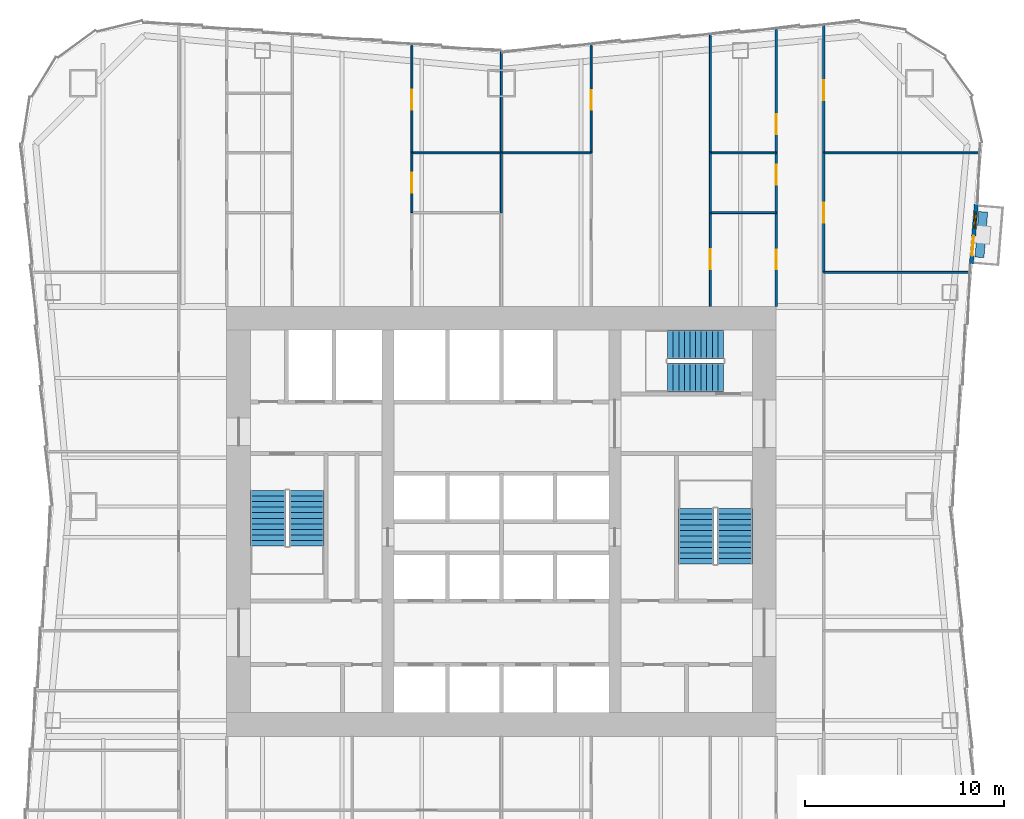
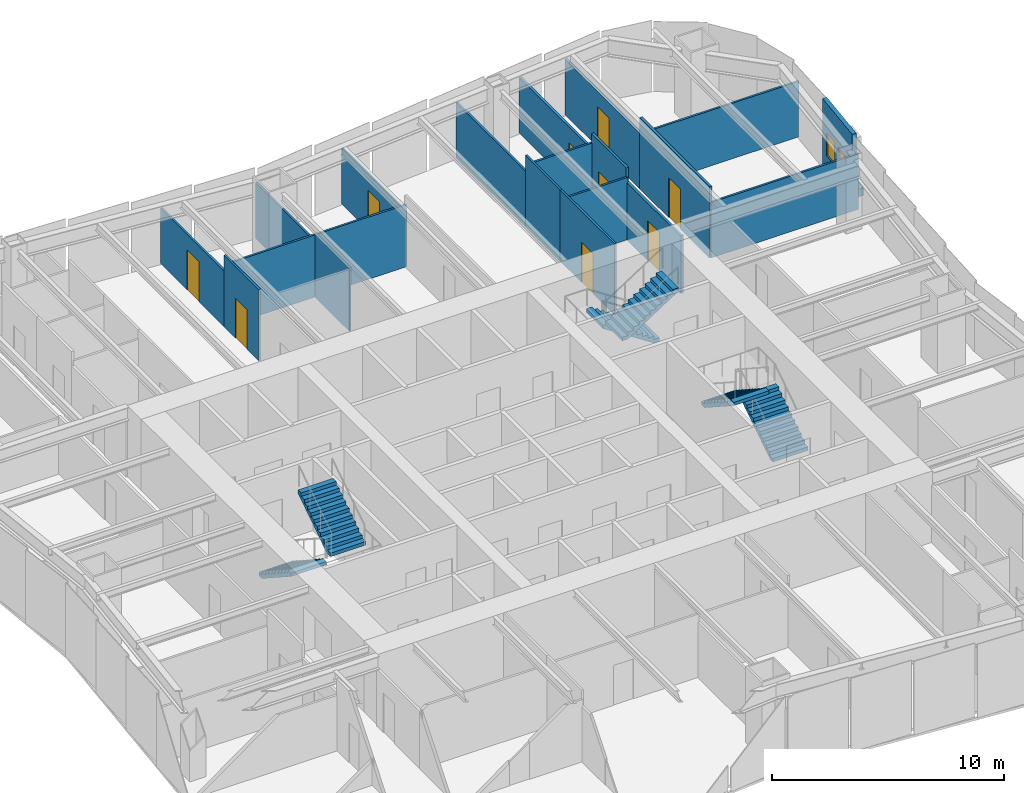
# One storey, part 7 of 9: 21 walls, 10 doors, 6 stair flights, 1 window, 11 openings, 3 elements without a shape of their own.
"""IFC4 building model written with IfcOpenShell, lengths in metres."""

from ifc_helpers import new_model, si_unit, direction, frame, frame_2d, origin, place, context, subcontext, project, spatial, polyline, rectangle, outline, extrude, material, layer, layer_set, type_object, element, fill, aggregate, save


model = new_model("IFC4")

# Units and contexts
model_context = context("Model", 3, precision=1e-05, world=origin(), true_north=direction((0.0, 1.0)))
body_context = subcontext(model_context, "Body", "Model", "MODEL_VIEW")
ifc_project = project(units=[si_unit("LENGTHUNIT", "METRE"), si_unit("AREAUNIT", "SQUARE_METRE"), si_unit("VOLUMEUNIT", "CUBIC_METRE"), si_unit("PLANEANGLEUNIT", "RADIAN"), si_unit("MASSUNIT", "GRAM", prefix="KILO")], contexts=[model_context])

# Site, building, storey
site_placement = place(None, origin())
site = spatial("IfcSite", under=ifc_project, at=site_placement, CompositionType="ELEMENT")
building_placement = place(site_placement, origin())
building = spatial("IfcBuilding", under=site, at=building_placement, Name="Verdant Reach Tower", CompositionType="ELEMENT")
storey_placement = place(building_placement, frame((0.0, 0.0, 110.0)))
storey = spatial("IfcBuildingStorey", under=building, at=storey_placement, Name="L25", CompositionType="ELEMENT", Elevation=110.0)

# Wall, openings, door, window
ifc_material_1 = material(Name="Insulated bronze aluminium panel wall", Category="aluminium")
ifc_layer_1 = layer(ifc_material_1, 0.219970703125)
ifc_layer_set_1 = layer_set([ifc_layer_1], Name="EN-INFILL WALL")
wall_type_1 = type_object("IfcWallType", Name="EN-INFILL WALL", PredefinedType="SOLIDWALL", material=ifc_layer_set_1)
wall_1_placement = place(storey_placement, frame((23.605224609375, 40.939208984375, 0.0), z_axis=(0.0, 0.0, 1.0), x_axis=(0.081903334605, 0.996640278024, 0.0)))
wall_1 = element("IfcWall", 1, at=wall_1_placement, inside=storey, type_object=wall_type_1, Name="External infill wall, balcony bay 1, L25", PredefinedType="SOLIDWALL", context=body_context, shape_type="SweptSolid", body=[
    extrude(rectangle(XDim=2.98974609375, YDim=0.2060546875, at=frame_2d((1.494873046875, 0.0))), origin(), (0.0, 0.0, 1.0), 3.64990234375),
])
opening_1_placement = place(wall_1_placement, frame((0.396484375, 0.0, 0.0)))
opening_1 = element("IfcOpeningElement", 2, at=opening_1_placement, cuts=wall_1, Name="Opening BD1", PredefinedType="OPENING", context=body_context, shape_type="SweptSolid", body=[
    extrude(rectangle(XDim=1.0, YDim=2.10009765625, at=frame_2d((0.5, 1.050048828125))), frame((0.0, 0.113037109375, 0.0), z_axis=(0.0, -1.0, 0.0), x_axis=(1.0, 0.0, 0.0)), (0.0, 0.0, 1.0), 0.22607421875),
])
opening_2_placement = place(wall_1_placement, frame((1.793212890625, 0.0, 0.89990234375)))
opening_2 = element("IfcOpeningElement", 3, at=opening_2_placement, cuts=wall_1, Name="Opening BW1", PredefinedType="OPENING", context=body_context, shape_type="SweptSolid", body=[
    extrude(rectangle(XDim=0.800048828125, YDim=1.199951171875, at=frame_2d((0.39990234375, 0.60009765625))), frame((0.0, 0.113037109375, 0.0), z_axis=(0.0, -1.0, 0.0), x_axis=(1.0, 0.0, 0.0)), (0.0, 0.0, 1.0), 0.22607421875),
])
ifc_material_2 = material(Name="Aluminium framed glazed door", Category="aluminium")
door_type_1 = type_object("IfcDoorType", Name="EN-DOOR BALCONY", OperationType="NOTDEFINED", PredefinedType="DOOR", material=ifc_material_2)
door_1_placement = place(opening_1_placement, origin())
door_1 = element("IfcDoor", 4, at=door_1_placement, inside=storey, type_object=door_type_1, Name="Balcony door 1, L25", OperationType="SINGLE_SWING_LEFT", OverallHeight=2.10009765625, OverallWidth=1.0, PredefinedType="DOOR", context=body_context, shape_type="SweptSolid", body=[
    extrude(rectangle(XDim=1.0, YDim=2.10009765625, at=frame_2d((0.5, 1.050048828125))), frame((0.0, 0.02490234375, 0.0), z_axis=(0.0, -1.0, 0.0), x_axis=(1.0, 0.0, 0.0)), (0.0, 0.0, 1.0), 0.050048828125),
])
fill(opening_1, door_1)
ifc_material_3 = material(Name="Aluminium framed glazing", Category="aluminium")
window_type = type_object("IfcWindowType", Name="EN-WINDOW BALCONY", PartitioningType="SINGLE_PANEL", PredefinedType="WINDOW", material=ifc_material_3)
window_placement = place(opening_2_placement, origin())
window = element("IfcWindow", 5, at=window_placement, inside=storey, type_object=window_type, Name="Balcony window 1, L25", OverallHeight=1.199951171875, OverallWidth=0.800048828125, PartitioningType="SINGLE_PANEL", PredefinedType="WINDOW", context=body_context, shape_type="SweptSolid", body=[
    extrude(rectangle(XDim=0.800048828125, YDim=1.199951171875, at=frame_2d((0.39990234375, 0.60009765625))), frame((0.0, 0.030029296875, 0.0), z_axis=(0.0, -1.0, 0.0), x_axis=(1.0, 0.0, 0.0)), (0.0, 0.0, 1.0), 0.06005859375),
])
fill(opening_2, window)

# Walls
ifc_material_4 = material(Name="Precast concrete C30/37", Category="concrete")
ifc_layer_2 = layer(ifc_material_4, 0.449951171875)
ifc_layer_set_2 = layer_set([ifc_layer_2], Name="EN-PLANTER")
wall_type_2 = type_object("IfcWallType", Name="EN-PLANTER", PredefinedType="USERDEFINED", material=ifc_layer_set_2)
wall_2_placement = place(storey_placement, frame((24.010498046875, 41.257080078125, 0.0), z_axis=(0.0, 0.0, 1.0), x_axis=(0.081986639556, 0.996633428566, 0.0)))
element("IfcWall", 6, at=wall_2_placement, inside=storey, type_object=wall_type_2, Name="Balcony planter 1, L25", ObjectType="PLANTER", PredefinedType="USERDEFINED", context=body_context, shape_type="SweptSolid", body=[
    extrude(rectangle(XDim=2.2900390625, YDim=0.449951171875, at=frame_2d((1.14501953125, 0.0))), origin(), (0.0, 0.0, 1.0), 0.39990234375),
])
ifc_material_5 = material(Name="Gypsum board on steel studs", Category="steel")
ifc_layer_3 = layer(ifc_material_5, 0.10009765625)
ifc_layer_set_3 = layer_set([ifc_layer_3], Name="FL-W1 Partition 100")
wall_type_3 = type_object("IfcWallType", Name="FL-W1 Partition 100", PredefinedType="PARTITIONING", material=ifc_layer_set_3)
wall_3_placement = place(storey_placement, frame((23.5458984375, 40.5, 0.0), z_axis=(0.0, 0.0, 1.0), x_axis=(-1.0, 0.0, 0.0)))
element("IfcWall", 7, at=wall_3_placement, inside=storey, type_object=wall_type_3, Name="Partition 25.36", PredefinedType="PARTITIONING", context=body_context, shape_type="SweptSolid", body=[
    extrude(rectangle(XDim=7.345947265625, YDim=0.10009765625, at=frame_2d((3.6728515625, 0.0))), origin(), (0.0, 0.0, 1.0), 2.919921875),
])
wall_4_placement = place(storey_placement, frame((24.038818359375, 46.5, 0.0), z_axis=(0.0, 0.0, 1.0), x_axis=(-1.0, 0.0, 0.0)))
element("IfcWall", 8, at=wall_4_placement, inside=storey, type_object=wall_type_3, Name="Partition 25.37", PredefinedType="PARTITIONING", context=body_context, shape_type="SweptSolid", body=[
    extrude(rectangle(XDim=7.8388671875, YDim=0.10009765625, at=frame_2d((3.91943359375, 0.0))), origin(), (0.0, 0.0, 1.0), 2.919921875),
])

# Wall, opening, door
wall_5_placement = place(storey_placement, frame((-4.5, 46.5, 0.0), z_axis=(0.0, 0.0, 1.0), x_axis=(0.0, -1.0, 0.0)))
wall_5 = element("IfcWall", 9, at=wall_5_placement, inside=storey, type_object=wall_type_3, Name="Partition 25.62", PredefinedType="PARTITIONING", context=body_context, shape_type="SweptSolid", body=[
    extrude(rectangle(XDim=3.0, YDim=0.10009765625, at=frame_2d((1.5, 0.0))), origin(), (0.0, 0.0, 1.0), 3.75),
])
opening_3_placement = place(wall_5_placement, frame((1.0, 0.0, 0.0)))
opening_3 = element("IfcOpeningElement", 10, at=opening_3_placement, cuts=wall_5, Name="Opening D3", PredefinedType="OPENING", context=body_context, shape_type="SweptSolid", body=[
    extrude(rectangle(XDim=1.0, YDim=2.10009765625, at=frame_2d((0.5, 1.050048828125))), frame((0.0, 0.06005859375, 0.0), z_axis=(0.0, -1.0, 0.0), x_axis=(1.0, 0.0, 0.0)), (0.0, 0.0, 1.0), 0.1201171875),
])
ifc_material_6 = material(Name="Painted timber door leaf", Category="wood")
door_type_2 = type_object("IfcDoorType", Name="FL-D3 Door 1000x2100", OperationType="NOTDEFINED", PredefinedType="DOOR", material=ifc_material_6)
door_2_placement = place(opening_3_placement, origin())
door_2 = element("IfcDoor", 11, at=door_2_placement, inside=storey, type_object=door_type_2, Name="Door 25-034", OperationType="SINGLE_SWING_RIGHT", OverallHeight=2.10009765625, OverallWidth=1.0, PredefinedType="DOOR", context=body_context, shape_type="SweptSolid", body=[
    extrude(rectangle(XDim=1.0, YDim=2.10009765625, at=frame_2d((0.5, 1.050048828125))), frame((0.0, 0.02490234375, 0.0), z_axis=(0.0, -1.0, 0.0), x_axis=(1.0, 0.0, 0.0)), (0.0, 0.0, 1.0), 0.050048828125),
])
fill(opening_3, door_2)

wall_6_placement = place(storey_placement, frame((-4.5, 51.955078125, 0.0), z_axis=(0.0, 0.0, 1.0), x_axis=(0.0, -1.0, 0.0)))
wall_6 = element("IfcWall", 12, at=wall_6_placement, inside=storey, type_object=wall_type_3, Name="Partition 25.63", PredefinedType="PARTITIONING", context=body_context, shape_type="SweptSolid", body=[
    extrude(rectangle(XDim=5.455078125, YDim=0.10009765625, at=frame_2d((2.7275390625, 0.0))), origin(), (0.0, 0.0, 1.0), 2.919921875),
])
opening_4_placement = place(wall_6_placement, frame((2.29248046875, 0.0, 0.0)))
opening_4 = element("IfcOpeningElement", 13, at=opening_4_placement, cuts=wall_6, Name="Opening D3", PredefinedType="OPENING", context=body_context, shape_type="SweptSolid", body=[
    extrude(rectangle(XDim=1.0, YDim=2.10009765625, at=frame_2d((0.5, 1.050048828125))), frame((0.0, 0.06005859375, 0.0), z_axis=(0.0, -1.0, 0.0), x_axis=(1.0, 0.0, 0.0)), (0.0, 0.0, 1.0), 0.1201171875),
])
door_3_placement = place(opening_4_placement, origin())
door_3 = element("IfcDoor", 14, at=door_3_placement, inside=storey, type_object=door_type_2, Name="Door 25-035", OperationType="SINGLE_SWING_RIGHT", OverallHeight=2.10009765625, OverallWidth=1.0, PredefinedType="DOOR", context=body_context, shape_type="SweptSolid", body=[
    extrude(rectangle(XDim=1.0, YDim=2.10009765625, at=frame_2d((0.5, 1.050048828125))), frame((0.0, 0.02490234375, 0.0), z_axis=(0.0, -1.0, 0.0), x_axis=(1.0, 0.0, 0.0)), (0.0, 0.0, 1.0), 0.050048828125),
])
fill(opening_4, door_3)

# Walls
wall_7_placement = place(storey_placement, frame((0.0, 46.5, 0.0), z_axis=(0.0, 0.0, 1.0), x_axis=(-1.0, 0.0, 0.0)))
element("IfcWall", 15, at=wall_7_placement, inside=storey, type_object=wall_type_3, Name="Partition 25.66", PredefinedType="PARTITIONING", context=body_context, shape_type="SweptSolid", body=[
    extrude(rectangle(XDim=4.5, YDim=0.10009765625, at=frame_2d((2.25, 0.0))), origin(), (0.0, 0.0, 1.0), 3.27001953125),
])
wall_8_placement = place(storey_placement, frame((0.0, 43.49609375, 0.0), z_axis=(0.0, 0.0, 1.0), x_axis=(0.0, 1.0, 0.0)))
element("IfcWall", 16, at=wall_8_placement, inside=storey, type_object=wall_type_3, Name="Partition 25.67", PredefinedType="PARTITIONING", context=body_context, shape_type="SweptSolid", body=[
    extrude(rectangle(XDim=3.00390625, YDim=0.10009765625, at=frame_2d((1.501953125, 0.0))), origin(), (0.0, 0.0, 1.0), 3.320068359375),
])
wall_9_placement = place(storey_placement, frame((0.0, 46.5, 0.0), z_axis=(0.0, 0.0, 1.0), x_axis=(0.0, 1.0, 0.0)))
element("IfcWall", 17, at=wall_9_placement, inside=storey, type_object=wall_type_3, Name="Partition 25.68", PredefinedType="PARTITIONING", context=body_context, shape_type="SweptSolid", body=[
    extrude(rectangle(XDim=5.080078125, YDim=0.10009765625, at=frame_2d((2.5400390625, 0.0))), origin(), (0.0, 0.0, 1.0), 2.919921875),
])
wall_10_placement = place(storey_placement, frame((13.800048828125, 43.5, 0.0), z_axis=(0.0, 0.0, 1.0), x_axis=(-1.0, 0.0, 0.0)))
element("IfcWall", 18, at=wall_10_placement, inside=storey, type_object=wall_type_3, Name="Partition 25.69", PredefinedType="PARTITIONING", context=body_context, shape_type="SweptSolid", body=[
    extrude(rectangle(XDim=3.300048828125, YDim=0.10009765625, at=frame_2d((1.64990234375, 0.0))), origin(), (0.0, 0.0, 1.0), 3.27001953125),
])

# Wall, opening, door
wall_11_placement = place(storey_placement, frame((10.5, 38.800048828125, 0.0), z_axis=(0.0, 0.0, 1.0), x_axis=(0.0, 1.0, 0.0)))
wall_11 = element("IfcWall", 19, at=wall_11_placement, inside=storey, type_object=wall_type_3, Name="Partition 25.70", PredefinedType="PARTITIONING", context=body_context, shape_type="SweptSolid", body=[
    extrude(rectangle(XDim=4.703857421875, YDim=0.10009765625, at=frame_2d((2.35205078125, 0.0))), origin(), (0.0, 0.0, 1.0), 3.75),
])
opening_5_placement = place(wall_11_placement, frame((1.85205078125, 0.0, 0.0)))
opening_5 = element("IfcOpeningElement", 20, at=opening_5_placement, cuts=wall_11, Name="Opening D3", PredefinedType="OPENING", context=body_context, shape_type="SweptSolid", body=[
    extrude(rectangle(XDim=1.0, YDim=2.10009765625, at=frame_2d((0.5, 1.050048828125))), frame((0.0, 0.06005859375, 0.0), z_axis=(0.0, -1.0, 0.0), x_axis=(1.0, 0.0, 0.0)), (0.0, 0.0, 1.0), 0.1201171875),
])
door_4_placement = place(opening_5_placement, origin())
door_4 = element("IfcDoor", 21, at=door_4_placement, inside=storey, type_object=door_type_2, Name="Door 25-036", OperationType="SINGLE_SWING_RIGHT", OverallHeight=2.10009765625, OverallWidth=1.0, PredefinedType="DOOR", context=body_context, shape_type="SweptSolid", body=[
    extrude(rectangle(XDim=1.0, YDim=2.10009765625, at=frame_2d((0.5, 1.050048828125))), frame((0.0, 0.02490234375, 0.0), z_axis=(0.0, -1.0, 0.0), x_axis=(1.0, 0.0, 0.0)), (0.0, 0.0, 1.0), 0.050048828125),
])
fill(opening_5, door_4)

# Walls
wall_12_placement = place(storey_placement, frame((13.800048828125, 46.5, 0.0), z_axis=(0.0, 0.0, 1.0), x_axis=(-1.0, 0.0, 0.0)))
element("IfcWall", 22, at=wall_12_placement, inside=storey, type_object=wall_type_3, Name="Partition 25.71", PredefinedType="PARTITIONING", context=body_context, shape_type="SweptSolid", body=[
    extrude(rectangle(XDim=3.300048828125, YDim=0.10009765625, at=frame_2d((1.64990234375, 0.0))), origin(), (0.0, 0.0, 1.0), 3.27001953125),
])
wall_13_placement = place(storey_placement, frame((10.5, 46.50390625, 0.0), z_axis=(0.0, 0.0, 1.0), x_axis=(0.0, -1.0, 0.0)))
element("IfcWall", 23, at=wall_13_placement, inside=storey, type_object=wall_type_3, Name="Partition 25.72", PredefinedType="PARTITIONING", context=body_context, shape_type="SweptSolid", body=[
    extrude(rectangle(XDim=3.0078125, YDim=0.10009765625, at=frame_2d((1.50390625, 0.0))), origin(), (0.0, 0.0, 1.0), 3.75),
])
wall_14_placement = place(storey_placement, frame((10.5, 52.455078125, 0.0), z_axis=(0.0, 0.0, 1.0), x_axis=(0.0, -1.0, 0.0)))
element("IfcWall", 24, at=wall_14_placement, inside=storey, type_object=wall_type_3, Name="Partition 25.73", PredefinedType="PARTITIONING", context=body_context, shape_type="SweptSolid", body=[
    extrude(rectangle(XDim=5.958984375, YDim=0.10009765625, at=frame_2d((2.9794921875, 0.0))), origin(), (0.0, 0.0, 1.0), 2.919921875),
])

# Wall, opening, door
wall_15_placement = place(storey_placement, frame((4.5, 46.5, 0.0), z_axis=(0.0, 0.0, 1.0), x_axis=(0.0, 1.0, 0.0)))
wall_15 = element("IfcWall", 25, at=wall_15_placement, inside=storey, type_object=wall_type_3, Name="Partition 25.75", PredefinedType="PARTITIONING", context=body_context, shape_type="SweptSolid", body=[
    extrude(rectangle(XDim=5.455078125, YDim=0.10009765625, at=frame_2d((2.7275390625, 0.0))), origin(), (0.0, 0.0, 1.0), 2.919921875),
])
opening_6_placement = place(wall_15_placement, frame((2.162353515625, 0.0, 0.0)))
opening_6 = element("IfcOpeningElement", 26, at=opening_6_placement, cuts=wall_15, Name="Opening D3", PredefinedType="OPENING", context=body_context, shape_type="SweptSolid", body=[
    extrude(rectangle(XDim=1.0, YDim=2.10009765625, at=frame_2d((0.5, 1.050048828125))), frame((0.0, 0.06005859375, 0.0), z_axis=(0.0, -1.0, 0.0), x_axis=(1.0, 0.0, 0.0)), (0.0, 0.0, 1.0), 0.1201171875),
])
door_5_placement = place(opening_6_placement, origin())
door_5 = element("IfcDoor", 27, at=door_5_placement, inside=storey, type_object=door_type_2, Name="Door 25-038", OperationType="SINGLE_SWING_LEFT", OverallHeight=2.10009765625, OverallWidth=1.0, PredefinedType="DOOR", context=body_context, shape_type="SweptSolid", body=[
    extrude(rectangle(XDim=1.0, YDim=2.10009765625, at=frame_2d((0.5, 1.050048828125))), frame((0.0, 0.02490234375, 0.0), z_axis=(0.0, -1.0, 0.0), x_axis=(1.0, 0.0, 0.0)), (0.0, 0.0, 1.0), 0.050048828125),
])
fill(opening_6, door_5)

# Wall
wall_16_placement = place(storey_placement, frame((4.5, 46.5, 0.0), z_axis=(0.0, 0.0, 1.0), x_axis=(-1.0, 0.0, 0.0)))
element("IfcWall", 28, at=wall_16_placement, inside=storey, type_object=wall_type_3, Name="Partition 25.76", PredefinedType="PARTITIONING", context=body_context, shape_type="SweptSolid", body=[
    extrude(rectangle(XDim=4.5, YDim=0.10009765625, at=frame_2d((2.25, 0.0))), origin(), (0.0, 0.0, 1.0), 3.27001953125),
])

# Wall, opening, door
ifc_material_7 = material(Name="Gypsum board on steel studs, fire rated", Category="steel")
ifc_layer_4 = layer(ifc_material_7, 0.125)
ifc_layer_set_4 = layer_set([ifc_layer_4], Name="FL-W2 Corridor wall 125")
wall_type_4 = type_object("IfcWallType", Name="FL-W2 Corridor wall 125", PredefinedType="PARTITIONING", material=ifc_layer_set_4)
wall_17_placement = place(storey_placement, frame((16.199951171875, 46.5, 0.0), z_axis=(0.0, 0.0, 1.0), x_axis=(0.0, -1.0, 0.0)))
wall_17 = element("IfcWall", 29, at=wall_17_placement, inside=storey, type_object=wall_type_4, Name="Partition 25.19", PredefinedType="PARTITIONING", context=body_context, shape_type="SweptSolid", body=[
    extrude(rectangle(XDim=6.0, YDim=0.125, at=frame_2d((3.0, 0.0))), origin(), (0.0, 0.0, 1.0), 3.75),
])
opening_7_placement = place(wall_17_placement, frame((2.5, 0.0, 0.0)))
opening_7 = element("IfcOpeningElement", 30, at=opening_7_placement, cuts=wall_17, Name="Opening D2", PredefinedType="OPENING", context=body_context, shape_type="SweptSolid", body=[
    extrude(rectangle(XDim=1.0, YDim=2.10009765625, at=frame_2d((0.5, 1.050048828125))), frame((0.0, 0.072509765625, 0.0), z_axis=(0.0, -1.0, 0.0), x_axis=(1.0, 0.0, 0.0)), (0.0, 0.0, 1.0), 0.14501953125),
])
ifc_material_8 = material(Name="Timber door leaf, fire rated", Category="wood")
door_type_3 = type_object("IfcDoorType", Name="FL-D2 Entrance door 1000x2100 FD30", OperationType="NOTDEFINED", PredefinedType="DOOR", material=ifc_material_8)
door_6_placement = place(opening_7_placement, origin())
door_6 = element("IfcDoor", 31, at=door_6_placement, inside=storey, type_object=door_type_3, Name="Door 25-018", OperationType="SINGLE_SWING_RIGHT", OverallHeight=2.10009765625, OverallWidth=1.0, PredefinedType="DOOR", context=body_context, shape_type="SweptSolid", body=[
    extrude(rectangle(XDim=1.0, YDim=2.10009765625, at=frame_2d((0.5, 1.050048828125))), frame((0.0, 0.02490234375, 0.0), z_axis=(0.0, -1.0, 0.0), x_axis=(1.0, 0.0, 0.0)), (0.0, 0.0, 1.0), 0.050048828125),
])
fill(opening_7, door_6)

wall_18_placement = place(storey_placement, frame((16.199951171875, 52.929931640625, 0.0), z_axis=(0.0, 0.0, 1.0), x_axis=(0.0, -1.0, 0.0)))
wall_18 = element("IfcWall", 32, at=wall_18_placement, inside=storey, type_object=wall_type_4, Name="Partition 25.20", PredefinedType="PARTITIONING", context=body_context, shape_type="SweptSolid", body=[
    extrude(rectangle(XDim=6.429931640625, YDim=0.125, at=frame_2d((3.21484375, 0.0))), origin(), (0.0, 0.0, 1.0), 2.919921875),
])
opening_8_placement = place(wall_18_placement, frame((2.780029296875, 0.0, 0.0)))
opening_8 = element("IfcOpeningElement", 33, at=opening_8_placement, cuts=wall_18, Name="Opening D2", PredefinedType="OPENING", context=body_context, shape_type="SweptSolid", body=[
    extrude(rectangle(XDim=1.0, YDim=2.10009765625, at=frame_2d((0.5, 1.050048828125))), frame((0.0, 0.072509765625, 0.0), z_axis=(0.0, -1.0, 0.0), x_axis=(1.0, 0.0, 0.0)), (0.0, 0.0, 1.0), 0.14501953125),
])
door_7_placement = place(opening_8_placement, origin())
door_7 = element("IfcDoor", 34, at=door_7_placement, inside=storey, type_object=door_type_3, Name="Door 25-019", OperationType="SINGLE_SWING_RIGHT", OverallHeight=2.10009765625, OverallWidth=1.0, PredefinedType="DOOR", context=body_context, shape_type="SweptSolid", body=[
    extrude(rectangle(XDim=1.0, YDim=2.10009765625, at=frame_2d((0.5, 1.050048828125))), frame((0.0, 0.02490234375, 0.0), z_axis=(0.0, -1.0, 0.0), x_axis=(1.0, 0.0, 0.0)), (0.0, 0.0, 1.0), 0.050048828125),
])
fill(opening_8, door_7)

wall_19_placement = place(storey_placement, frame((13.800048828125, 38.800048828125, 0.0), z_axis=(0.0, 0.0, 1.0), x_axis=(0.0, 1.0, 0.0)))
wall_19 = element("IfcWall", 35, at=wall_19_placement, inside=storey, type_object=wall_type_4, Name="Partition 25.24", PredefinedType="PARTITIONING", context=body_context, shape_type="SweptSolid", body=[
    extrude(rectangle(XDim=4.699951171875, YDim=0.125, at=frame_2d((2.35009765625, 0.0))), origin(), (0.0, 0.0, 1.0), 3.02001953125),
])
opening_9_placement = place(wall_19_placement, frame((1.85009765625, 0.0, 0.0)))
opening_9 = element("IfcOpeningElement", 36, at=opening_9_placement, cuts=wall_19, Name="Opening D2", PredefinedType="OPENING", context=body_context, shape_type="SweptSolid", body=[
    extrude(rectangle(XDim=1.0, YDim=2.10009765625, at=frame_2d((0.5, 1.050048828125))), frame((0.0, 0.072509765625, 0.0), z_axis=(0.0, -1.0, 0.0), x_axis=(1.0, 0.0, 0.0)), (0.0, 0.0, 1.0), 0.14501953125),
])
door_8_placement = place(opening_9_placement, origin())
door_8 = element("IfcDoor", 37, at=door_8_placement, inside=storey, type_object=door_type_3, Name="Door 25-023", OperationType="SINGLE_SWING_LEFT", OverallHeight=2.10009765625, OverallWidth=1.0, PredefinedType="DOOR", context=body_context, shape_type="SweptSolid", body=[
    extrude(rectangle(XDim=1.0, YDim=2.10009765625, at=frame_2d((0.5, 1.050048828125))), frame((0.0, 0.02490234375, 0.0), z_axis=(0.0, -1.0, 0.0), x_axis=(1.0, 0.0, 0.0)), (0.0, 0.0, 1.0), 0.050048828125),
])
fill(opening_9, door_8)

wall_20_placement = place(storey_placement, frame((13.800048828125, 43.5, 0.0), z_axis=(0.0, 0.0, 1.0), x_axis=(0.0, 1.0, 0.0)))
wall_20 = element("IfcWall", 38, at=wall_20_placement, inside=storey, type_object=wall_type_4, Name="Partition 25.25", PredefinedType="PARTITIONING", context=body_context, shape_type="SweptSolid", body=[
    extrude(rectangle(XDim=3.0, YDim=0.125, at=frame_2d((1.5, 0.0))), origin(), (0.0, 0.0, 1.0), 3.75),
])
opening_10_placement = place(wall_20_placement, frame((1.39990234375, 0.0, 0.0)))
opening_10 = element("IfcOpeningElement", 39, at=opening_10_placement, cuts=wall_20, Name="Opening D2", PredefinedType="OPENING", context=body_context, shape_type="SweptSolid", body=[
    extrude(rectangle(XDim=1.0, YDim=2.10009765625, at=frame_2d((0.5, 1.050048828125))), frame((0.0, 0.072509765625, 0.0), z_axis=(0.0, -1.0, 0.0), x_axis=(1.0, 0.0, 0.0)), (0.0, 0.0, 1.0), 0.14501953125),
])
door_9_placement = place(opening_10_placement, origin())
door_9 = element("IfcDoor", 40, at=door_9_placement, inside=storey, type_object=door_type_3, Name="Door 25-024", OperationType="SINGLE_SWING_RIGHT", OverallHeight=2.10009765625, OverallWidth=1.0, PredefinedType="DOOR", context=body_context, shape_type="SweptSolid", body=[
    extrude(rectangle(XDim=1.0, YDim=2.10009765625, at=frame_2d((0.5, 1.050048828125))), frame((0.0, 0.02490234375, 0.0), z_axis=(0.0, -1.0, 0.0), x_axis=(1.0, 0.0, 0.0)), (0.0, 0.0, 1.0), 0.050048828125),
])
fill(opening_10, door_9)

wall_21_placement = place(storey_placement, frame((13.800048828125, 46.5, 0.0), z_axis=(0.0, 0.0, 1.0), x_axis=(0.0, 1.0, 0.0)))
wall_21 = element("IfcWall", 41, at=wall_21_placement, inside=storey, type_object=wall_type_4, Name="Partition 25.26", PredefinedType="PARTITIONING", context=body_context, shape_type="SweptSolid", body=[
    extrude(rectangle(XDim=6.22998046875, YDim=0.125, at=frame_2d((3.114990234375, 0.0))), origin(), (0.0, 0.0, 1.0), 2.919921875),
])
opening_11_placement = place(wall_21_placement, frame((0.949951171875, 0.0, 0.0)))
opening_11 = element("IfcOpeningElement", 42, at=opening_11_placement, cuts=wall_21, Name="Opening D2", PredefinedType="OPENING", context=body_context, shape_type="SweptSolid", body=[
    extrude(rectangle(XDim=1.0, YDim=2.10009765625, at=frame_2d((0.5, 1.050048828125))), frame((0.0, 0.072509765625, 0.0), z_axis=(0.0, -1.0, 0.0), x_axis=(1.0, 0.0, 0.0)), (0.0, 0.0, 1.0), 0.14501953125),
])
door_10_placement = place(opening_11_placement, origin())
door_10 = element("IfcDoor", 43, at=door_10_placement, inside=storey, type_object=door_type_3, Name="Door 25-025", OperationType="SINGLE_SWING_LEFT", OverallHeight=2.10009765625, OverallWidth=1.0, PredefinedType="DOOR", context=body_context, shape_type="SweptSolid", body=[
    extrude(rectangle(XDim=1.0, YDim=2.10009765625, at=frame_2d((0.5, 1.050048828125))), frame((0.0, 0.02490234375, 0.0), z_axis=(0.0, -1.0, 0.0), x_axis=(1.0, 0.0, 0.0)), (0.0, 0.0, 1.0), 0.050048828125),
])
fill(opening_11, door_10)

# Stair, stair flights
ifc_material_9 = material(Name="Concrete C40/50", Category="concrete")
stair_type = type_object("IfcStairType", Name="CO-STAIR", PredefinedType="HALF_TURN_STAIR", material=ifc_material_9)
stair_1_placement = place(storey_placement, origin())
stair_1 = element("IfcStair", 44, at=stair_1_placement, inside=storey, type_object=stair_type, Name="L25 Exit stair 1", PredefinedType="HALF_TURN_STAIR")
stair_flight_type = type_object("IfcStairFlightType", Name="CO-STAIR-FLIGHT", PredefinedType="STRAIGHT", material=ifc_material_9)
stair_flight_1_placement = place(storey_placement, frame((-11.72509765625, 29.550048828125, 0.0), z_axis=(0.0, 0.0, 1.0), x_axis=(0.0, -1.0, 0.0)))
stair_flight_1 = element("IfcStairFlight", 45, at=stair_flight_1_placement, type_object=stair_flight_type, Name="ST-1 flight 1", NumberOfRisers=11, NumberOfTreads=10, PredefinedType="STRAIGHT", RiserHeight=0.181818182, TreadLength=0.28, context=body_context, shape_type="SweptSolid", body=[
    extrude(outline(polyline([(0.0, 0.0), (0.0, 0.181884765625), (0.280029296875, 0.181884765625), (0.280029296875, 0.363525390625), (0.56005859375, 0.363525390625), (0.56005859375, 0.54541015625), (0.840087890625, 0.54541015625), (0.840087890625, 0.727294921875), (1.1201171875, 0.727294921875), (1.1201171875, 0.9091796875), (1.39990234375, 0.9091796875), (1.39990234375, 1.0908203125), (1.679931640625, 1.0908203125), (1.679931640625, 1.272705078125), (1.9599609375, 1.272705078125), (1.9599609375, 1.45458984375), (2.239990234375, 1.45458984375), (2.239990234375, 1.636474609375), (2.52001953125, 1.636474609375), (2.52001953125, 1.818115234375), (2.800048828125, 1.818115234375), (2.800048828125, 2.0), (2.800048828125, 1.639404296875), (0.275146484375, 0.0), (0.0, 0.0)])), frame((0.0, 0.875, 0.0), z_axis=(0.0, -1.0, 0.0), x_axis=(1.0, 0.0, 0.0)), (0.0, 0.0, 1.0), 1.75),
])
stair_flight_2_placement = place(storey_placement, frame((-9.77490234375, 26.75, 2.0), z_axis=(0.0, 0.0, 1.0), x_axis=(0.0, 1.0, 0.0)))
stair_flight_2 = element("IfcStairFlight", 46, at=stair_flight_2_placement, type_object=stair_flight_type, Name="ST-1 flight 2", NumberOfRisers=11, NumberOfTreads=10, PredefinedType="STRAIGHT", RiserHeight=0.181818182, TreadLength=0.28, context=body_context, shape_type="SweptSolid", body=[
    extrude(outline(polyline([(0.0, 0.0), (0.0, 0.181884765625), (0.280029296875, 0.181884765625), (0.280029296875, 0.363525390625), (0.56005859375, 0.363525390625), (0.56005859375, 0.54541015625), (0.840087890625, 0.54541015625), (0.840087890625, 0.727294921875), (1.1201171875, 0.727294921875), (1.1201171875, 0.9091796875), (1.39990234375, 0.9091796875), (1.39990234375, 1.0908203125), (1.679931640625, 1.0908203125), (1.679931640625, 1.272705078125), (1.9599609375, 1.272705078125), (1.9599609375, 1.45458984375), (2.239990234375, 1.45458984375), (2.239990234375, 1.636474609375), (2.52001953125, 1.636474609375), (2.52001953125, 1.818115234375), (2.800048828125, 1.818115234375), (2.800048828125, 2.0), (2.800048828125, 1.639404296875), (0.275146484375, 0.0), (0.0, 0.0)])), frame((0.0, 0.875, 0.0), z_axis=(0.0, -1.0, 0.0), x_axis=(1.0, 0.0, 0.0)), (0.0, 0.0, 1.0), 1.75),
])
aggregate(stair_1, [stair_flight_1, stair_flight_2])

stair_2_placement = place(storey_placement, origin())
stair_2 = element("IfcStair", 47, at=stair_2_placement, inside=storey, type_object=stair_type, Name="L25 Exit stair 2", PredefinedType="HALF_TURN_STAIR")
stair_flight_3_placement = place(storey_placement, frame((11.72509765625, 25.85009765625, 0.0), z_axis=(0.0, 0.0, 1.0), x_axis=(0.0, 1.0, 0.0)))
stair_flight_3 = element("IfcStairFlight", 48, at=stair_flight_3_placement, type_object=stair_flight_type, Name="ST-2 flight 1", NumberOfRisers=11, NumberOfTreads=10, PredefinedType="STRAIGHT", RiserHeight=0.181818182, TreadLength=0.28, context=body_context, shape_type="SweptSolid", body=[
    extrude(outline(polyline([(0.0, 0.0), (0.0, 0.181884765625), (0.280029296875, 0.181884765625), (0.280029296875, 0.363525390625), (0.56005859375, 0.363525390625), (0.56005859375, 0.54541015625), (0.840087890625, 0.54541015625), (0.840087890625, 0.727294921875), (1.1201171875, 0.727294921875), (1.1201171875, 0.9091796875), (1.39990234375, 0.9091796875), (1.39990234375, 1.0908203125), (1.679931640625, 1.0908203125), (1.679931640625, 1.272705078125), (1.9599609375, 1.272705078125), (1.9599609375, 1.45458984375), (2.239990234375, 1.45458984375), (2.239990234375, 1.636474609375), (2.52001953125, 1.636474609375), (2.52001953125, 1.818115234375), (2.800048828125, 1.818115234375), (2.800048828125, 2.0), (2.800048828125, 1.639404296875), (0.275146484375, 0.0), (0.0, 0.0)])), frame((0.0, 0.875, 0.0), z_axis=(0.0, -1.0, 0.0), x_axis=(1.0, 0.0, 0.0)), (0.0, 0.0, 1.0), 1.75),
])
stair_flight_4_placement = place(storey_placement, frame((9.77490234375, 28.64990234375, 2.0), z_axis=(0.0, 0.0, 1.0), x_axis=(0.0, -1.0, 0.0)))
stair_flight_4 = element("IfcStairFlight", 49, at=stair_flight_4_placement, type_object=stair_flight_type, Name="ST-2 flight 2", NumberOfRisers=11, NumberOfTreads=10, PredefinedType="STRAIGHT", RiserHeight=0.181818182, TreadLength=0.28, context=body_context, shape_type="SweptSolid", body=[
    extrude(outline(polyline([(0.0, 0.0), (0.0, 0.181884765625), (0.280029296875, 0.181884765625), (0.280029296875, 0.363525390625), (0.56005859375, 0.363525390625), (0.56005859375, 0.54541015625), (0.840087890625, 0.54541015625), (0.840087890625, 0.727294921875), (1.1201171875, 0.727294921875), (1.1201171875, 0.9091796875), (1.39990234375, 0.9091796875), (1.39990234375, 1.0908203125), (1.679931640625, 1.0908203125), (1.679931640625, 1.272705078125), (1.9599609375, 1.272705078125), (1.9599609375, 1.45458984375), (2.239990234375, 1.45458984375), (2.239990234375, 1.636474609375), (2.52001953125, 1.636474609375), (2.52001953125, 1.818115234375), (2.800048828125, 1.818115234375), (2.800048828125, 2.0), (2.800048828125, 1.639404296875), (0.275146484375, 0.0), (0.0, 0.0)])), frame((0.0, 0.875, 0.0), z_axis=(0.0, -1.0, 0.0), x_axis=(1.0, 0.0, 0.0)), (0.0, 0.0, 1.0), 1.75),
])
aggregate(stair_2, [stair_flight_3, stair_flight_4])

stair_3_placement = place(storey_placement, origin())
stair_3 = element("IfcStair", 50, at=stair_3_placement, inside=storey, type_object=stair_type, Name="L25 Exit stair 3", PredefinedType="HALF_TURN_STAIR")
stair_flight_5_placement = place(storey_placement, frame((11.14990234375, 36.875, 0.0), z_axis=(0.0, 0.0, 1.0), x_axis=(-1.0, 0.0, 0.0)))
stair_flight_5 = element("IfcStairFlight", 51, at=stair_flight_5_placement, type_object=stair_flight_type, Name="ST-3 flight 1", NumberOfRisers=11, NumberOfTreads=10, PredefinedType="STRAIGHT", RiserHeight=0.181818182, TreadLength=0.28, context=body_context, shape_type="SweptSolid", body=[
    extrude(outline(polyline([(0.0, 0.0), (0.0, 0.181884765625), (0.280029296875, 0.181884765625), (0.280029296875, 0.363525390625), (0.56005859375, 0.363525390625), (0.56005859375, 0.54541015625), (0.840087890625, 0.54541015625), (0.840087890625, 0.727294921875), (1.1201171875, 0.727294921875), (1.1201171875, 0.9091796875), (1.39990234375, 0.9091796875), (1.39990234375, 1.0908203125), (1.679931640625, 1.0908203125), (1.679931640625, 1.272705078125), (1.9599609375, 1.272705078125), (1.9599609375, 1.45458984375), (2.239990234375, 1.45458984375), (2.239990234375, 1.636474609375), (2.52001953125, 1.636474609375), (2.52001953125, 1.818115234375), (2.800048828125, 1.818115234375), (2.800048828125, 2.0), (2.800048828125, 1.639404296875), (0.275146484375, 0.0), (0.0, 0.0)])), frame((0.0, 0.72509765625, 0.0), z_axis=(0.0, -1.0, 0.0), x_axis=(1.0, 0.0, 0.0)), (0.0, 0.0, 1.0), 1.449951171875),
])
stair_flight_6_placement = place(storey_placement, frame((8.35009765625, 35.22509765625, 2.0), z_axis=(0.0, 0.0, 1.0), x_axis=(1.0, 0.0, 0.0)))
stair_flight_6 = element("IfcStairFlight", 52, at=stair_flight_6_placement, type_object=stair_flight_type, Name="ST-3 flight 2", NumberOfRisers=11, NumberOfTreads=10, PredefinedType="STRAIGHT", RiserHeight=0.181818182, TreadLength=0.28, context=body_context, shape_type="SweptSolid", body=[
    extrude(outline(polyline([(0.0, 0.0), (0.0, 0.181884765625), (0.280029296875, 0.181884765625), (0.280029296875, 0.363525390625), (0.56005859375, 0.363525390625), (0.56005859375, 0.54541015625), (0.840087890625, 0.54541015625), (0.840087890625, 0.727294921875), (1.1201171875, 0.727294921875), (1.1201171875, 0.9091796875), (1.39990234375, 0.9091796875), (1.39990234375, 1.0908203125), (1.679931640625, 1.0908203125), (1.679931640625, 1.272705078125), (1.9599609375, 1.272705078125), (1.9599609375, 1.45458984375), (2.239990234375, 1.45458984375), (2.239990234375, 1.636474609375), (2.52001953125, 1.636474609375), (2.52001953125, 1.818115234375), (2.800048828125, 1.818115234375), (2.800048828125, 2.0), (2.800048828125, 1.639404296875), (0.275146484375, 0.0), (0.0, 0.0)])), frame((0.0, 0.72509765625, 0.0), z_axis=(0.0, -1.0, 0.0), x_axis=(1.0, 0.0, 0.0)), (0.0, 0.0, 1.0), 1.449951171875),
])
aggregate(stair_3, [stair_flight_5, stair_flight_6])

save(model, "model.ifc")
